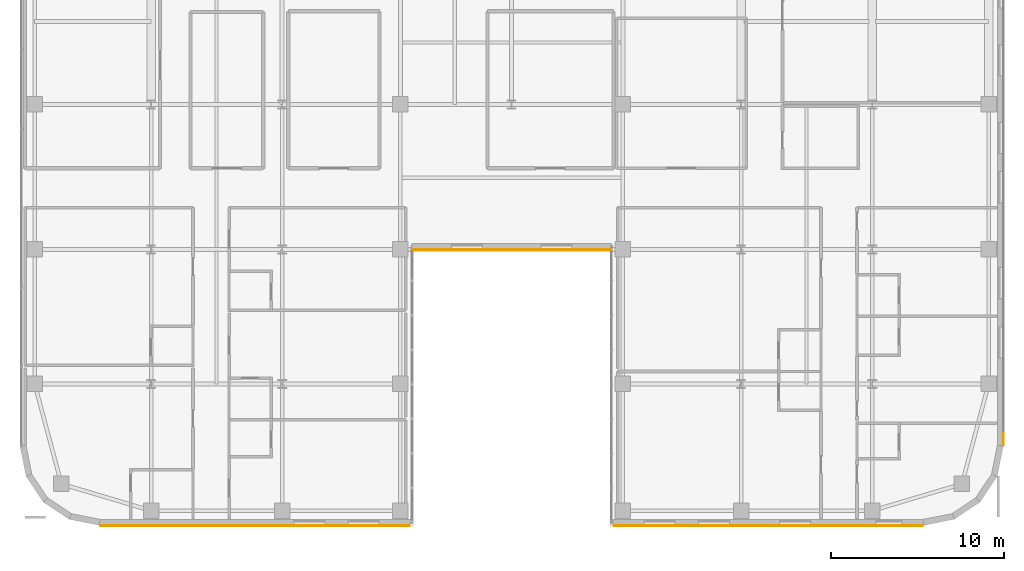
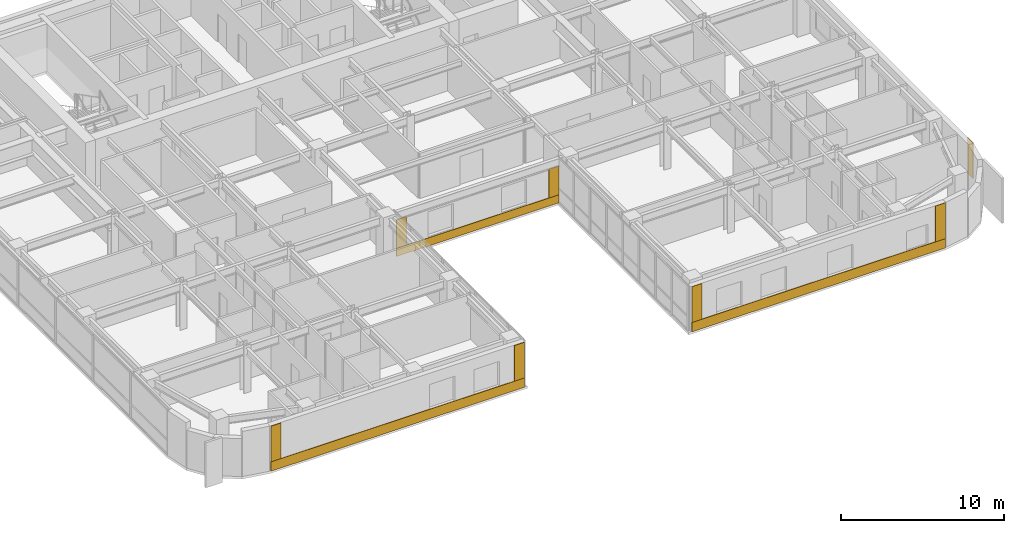
# One storey, part 33 of 37: 10 coverings.
"""IFC4 building model written with IfcOpenShell, lengths in metres."""

import ifcopenshell
import ifcopenshell.guid

model = None  # the IFC model being written
_history = None  # IfcOwnerHistory: only IFC2X3 demands one
_inside = {}  # id of a spatial element -> (the spatial element, [elements in it])
_under = {}  # id of a project, library or spatial element -> (it, [spatial elements below it])
_declared = {}  # id of a project -> (the project, [libraries it declares])
_typed = {}  # id of a type object -> (the type object, [elements of that type])
_made_of = {}  # id of a material, layer set ... -> (it, [elements and type objects made of it])


def new_model(schema):
    """Start an empty IFC model of exactly this schema.

    Asked for "IFC4X3", IfcOpenShell would pick the latest addendum, in which some entities
    have other attributes; the version numbers below select the first issue.
    IFC2X3 requires an IfcOwnerHistory on every rooted entity: one is made here for all.
    """
    global model, _history
    if schema == "IFC4X3":
        model = ifcopenshell.file(schema_version=(4, 3, 0, 0))
    else:
        model = ifcopenshell.file(schema=schema)
    _inside.clear()
    _under.clear()
    _declared.clear()
    _typed.clear()
    _made_of.clear()
    _history = None
    if model.schema == "IFC2X3":
        org = make("IfcOrganization", Name="unknown")
        user = make(
            "IfcPersonAndOrganization",
            ThePerson=make("IfcPerson", FamilyName="unknown"),
            TheOrganization=org,
        )
        app = make(
            "IfcApplication",
            ApplicationDeveloper=org,
            Version="unknown",
            ApplicationFullName="unknown",
            ApplicationIdentifier="unknown",
        )
        _history = make(
            "IfcOwnerHistory",
            OwningUser=user,
            OwningApplication=app,
            ChangeAction="ADDED",
            CreationDate=0,
        )
    return model


def make(cls, **values):
    """One entity of the class cls with the attributes given. An attribute that is None is left unset."""
    return model.create_entity(
        cls, **{name: value for name, value in values.items() if value is not None}
    )


def rooted(cls, **values):
    """An entity with a GlobalId (a new one), such as an element, a storey or a relation."""
    return make(cls, GlobalId=ifcopenshell.guid.new(), OwnerHistory=_history, **values)


def si_unit(unit_type, name, prefix=None):
    """IfcSIUnit, for example si_unit("LENGTHUNIT", "METRE", prefix="MILLI")."""
    return make("IfcSIUnit", UnitType=unit_type, Prefix=prefix, Name=name)


def assignment(units):
    """IfcUnitAssignment: the units of a project."""
    return None if units is None else make("IfcUnitAssignment", Units=units)


def point(xyz):
    """IfcCartesianPoint."""
    return None if xyz is None else make("IfcCartesianPoint", Coordinates=xyz)


def direction(xyz):
    """IfcDirection."""
    return None if xyz is None else make("IfcDirection", DirectionRatios=xyz)


def frame(location, z_axis=None, x_axis=None):
    """IfcAxis2Placement3D, a coordinate frame: its origin and axes. An axis left out is left unset."""
    return make(
        "IfcAxis2Placement3D",
        Location=point(location),
        Axis=direction(z_axis),
        RefDirection=direction(x_axis),
    )


def origin():
    """The frame at (0, 0, 0) with its axes left unset."""
    return frame((0.0, 0.0, 0.0))


def place(relative_to, where):
    """IfcLocalPlacement: puts the frame where relative to a parent placement (None: the world)."""
    return make(
        "IfcLocalPlacement", PlacementRelTo=relative_to, RelativePlacement=where
    )


def context(
    kind, dimensions, precision=None, world=None, true_north=None, identifier=None
):
    """IfcGeometricRepresentationContext, for example the 3D "Model" context."""
    return make(
        "IfcGeometricRepresentationContext",
        ContextIdentifier=identifier,
        ContextType=kind,
        CoordinateSpaceDimension=dimensions,
        Precision=precision,
        WorldCoordinateSystem=world,
        TrueNorth=true_north,
    )


def subcontext(parent, identifier, kind, view, scale=None):
    """IfcGeometricRepresentationSubContext, for example "Body" below "Model"."""
    return make(
        "IfcGeometricRepresentationSubContext",
        ContextIdentifier=identifier,
        ContextType=kind,
        ParentContext=parent,
        TargetScale=scale,
        TargetView=view,
    )


def project(units=None, contexts=None):
    """IfcProject with its units and contexts."""
    return rooted(
        "IfcProject",
        Name="project",
        RepresentationContexts=contexts,
        UnitsInContext=assignment(units),
    )


def spatial(cls, under=None, at=None, **own):
    """A site, building, storey or space (cls), placed at a placement, below another one or the project."""
    s = rooted(cls, ObjectPlacement=at, **own)
    if under is not None:
        _under.setdefault(under.id(), (under, []))[1].append(s)
    return s


def polyline(points):
    """IfcPolyline through the points."""
    return make("IfcPolyline", Points=[point(p) for p in points])


def outline(outer, holes=None, kind="AREA"):
    """IfcArbitraryClosedProfileDef: a profile drawn as a closed curve; with holes, ...WithVoids."""
    if holes is None:
        return make("IfcArbitraryClosedProfileDef", ProfileType=kind, OuterCurve=outer)
    return make(
        "IfcArbitraryProfileDefWithVoids",
        ProfileType=kind,
        OuterCurve=outer,
        InnerCurves=holes,
    )


def extrude(swept, where, along, depth):
    """IfcExtrudedAreaSolid: the profile swept, set in the frame where, extruded along a direction by depth."""
    return make(
        "IfcExtrudedAreaSolid",
        SweptArea=swept,
        Position=where,
        ExtrudedDirection=direction(along),
        Depth=depth,
    )


def shape(context_of_items, identifier, shape_type, items):
    """IfcShapeRepresentation: the items that make up one representation, for example the "Body"."""
    return make(
        "IfcShapeRepresentation",
        ContextOfItems=context_of_items,
        RepresentationIdentifier=identifier,
        RepresentationType=shape_type,
        Items=items,
    )


def material(Name=None, Category=None):
    """IfcMaterial."""
    return make("IfcMaterial", Name=Name, Category=Category)


def layer(
    of_material, thickness, ventilated=None, Name=None, Category=None, Priority=None
):
    """IfcMaterialLayer: one layer of a wall or slab, of a material (None: an air gap)."""
    return make(
        "IfcMaterialLayer",
        Material=of_material,
        LayerThickness=thickness,
        IsVentilated=ventilated,
        Name=Name,
        Category=Category,
        Priority=Priority,
    )


def layer_set(layers, Name=None):
    """IfcMaterialLayerSet."""
    return make("IfcMaterialLayerSet", MaterialLayers=layers, LayerSetName=Name)


def made_of(thing, what):
    """Note that an element or type object is made of a material, layer set ...; save() writes the relation."""
    if what is not None:
        _made_of.setdefault(what.id(), (what, []))[1].append(thing)
    return thing


def type_object(cls, material=None, **own):
    """A type object (cls), such as IfcWallType, which elements share."""
    return made_of(rooted(cls, **own), material)


def element(
    cls,
    number,
    at=None,
    inside=None,
    cuts=None,
    type_object=None,
    material=None,
    context=None,
    identifier="Body",
    shape_type=None,
    held_by="IfcProductDefinitionShape",
    body=None,
    shapes=None,
    **own,
):
    """One element of the class cls, such as IfcWall. Its Tag is "e" and its number.

    at: its placement. inside: the storey or other place that contains it. cuts: it is an
    opening in that element (IfcRelVoidsElement). A single representation is given by context,
    identifier, shape_type and body (its items); several are given by shapes. held_by: the class
    of the entity that holds the representations. save() writes the other relations.
    """
    e = rooted(cls, Tag="e%d" % number, ObjectPlacement=at, **own)
    if body is not None:
        shapes = [shape(context, identifier, shape_type, body)]
    if shapes is not None:
        e.Representation = make(held_by, Representations=shapes)
    if inside is not None:
        _inside.setdefault(inside.id(), (inside, []))[1].append(e)
    if cuts is not None:
        rooted(
            "IfcRelVoidsElement", RelatingBuildingElement=cuts, RelatedOpeningElement=e
        )
    if type_object is not None:
        _typed.setdefault(type_object.id(), (type_object, []))[1].append(e)
    return made_of(e, material)


def aggregate(whole, parts):
    """IfcRelAggregates: a whole, such as a stair, and the parts it consists of."""
    return rooted("IfcRelAggregates", RelatingObject=whole, RelatedObjects=parts)


def save(model, path):
    """Write the relations noted so far, then the file.

    IfcRelAggregates (storeys below a building ...), IfcRelContainedInSpatialStructure (elements
    in a storey), IfcRelDefinesByType, IfcRelAssociatesMaterial and IfcRelDeclares: one each for
    every whole, place, type object, material and project.
    """
    for whole, parts in _under.values():
        aggregate(whole, parts)
    for where, things in _inside.values():
        rooted(
            "IfcRelContainedInSpatialStructure",
            RelatedElements=things,
            RelatingStructure=where,
        )
    for kind, things in _typed.values():
        rooted("IfcRelDefinesByType", RelatedObjects=things, RelatingType=kind)
    for what, things in _made_of.values():
        rooted("IfcRelAssociatesMaterial", RelatedObjects=things, RelatingMaterial=what)
    for by, libraries in _declared.values():
        rooted("IfcRelDeclares", RelatingContext=by, RelatedDefinitions=libraries)
    model.write(path)


model = new_model("IFC4")

# Units and contexts
model_context = context("Model", 3, precision=1e-05, world=origin(), true_north=direction((0.0, 1.0)))
body_context = subcontext(model_context, "Body", "Model", "MODEL_VIEW")
ifc_project = project(units=[si_unit("LENGTHUNIT", "METRE"), si_unit("AREAUNIT", "SQUARE_METRE"), si_unit("VOLUMEUNIT", "CUBIC_METRE"), si_unit("PLANEANGLEUNIT", "RADIAN"), si_unit("MASSUNIT", "GRAM", prefix="KILO")], contexts=[model_context])

# Site, building, storey
site_placement = place(None, origin())
site = spatial("IfcSite", under=ifc_project, at=site_placement, CompositionType="ELEMENT")
building_placement = place(site_placement, origin())
building = spatial("IfcBuilding", under=site, at=building_placement, Name="Tolvann Quenvar Hotel", CompositionType="ELEMENT")
storey_placement = place(building_placement, frame((0.0, 0.0, 104.449951171875)))
storey = spatial("IfcBuildingStorey", under=building, at=storey_placement, Name="L26", CompositionType="ELEMENT", Elevation=104.449951171875)

# Coverings
ifc_material_1 = material(Name="Kiln-fired red architectural face brick cladding", Category="masonry")
ifc_layer_1 = layer(ifc_material_1, 0.0400390625)
ifc_layer_set_1 = layer_set([ifc_layer_1], Name="Kiln-fired red architectural face brick cladding")
covering_type_1 = type_object("IfcCoveringType", Name="COV_CLAD_BRICK_40", PredefinedType="CLADDING", material=ifc_layer_set_1)
covering_1_placement = place(storey_placement, frame((0.0, 0.0, 0.699951171875)))
element("IfcCovering", 1, at=covering_1_placement, inside=storey, type_object=covering_type_1, Name="Brick Pier Cladding (L26-E04-P1)", PredefinedType="CLADDING", context=body_context, shape_type="SweptSolid", body=[
    extrude(outline(polyline([(4.667236328125, 0.0), (5.3671875, 0.0), (5.3671875, -0.0400390625), (4.667236328125, -0.0400390625), (4.667236328125, 0.0)])), origin(), (0.0, 0.0, 1.0), 2.670166015625),
])
covering_2_placement = place(storey_placement, frame((0.0, 0.0, 0.699951171875)))
element("IfcCovering", 2, at=covering_2_placement, inside=storey, type_object=covering_type_1, Name="Brick Pier Cladding (L26-E04-P2)", PredefinedType="CLADDING", context=body_context, shape_type="SweptSolid", body=[
    extrude(outline(polyline([(21.875, 0.0), (22.574951171875, 0.0), (22.574951171875, -0.0400390625), (21.875, -0.0400390625), (21.875, 0.0)])), origin(), (0.0, 0.0, 1.0), 2.670166015625),
])
covering_3_placement = place(storey_placement, frame((0.0, 0.0, 0.604736328125)))
element("IfcCovering", 3, at=covering_3_placement, inside=storey, type_object=covering_type_1, Name="Brick Pier Cladding (L26-E06-P1)", PredefinedType="CLADDING", context=body_context, shape_type="SweptSolid", body=[
    extrude(outline(polyline([(22.760009765625, 16.0), (23.4599609375, 16.0), (23.4599609375, 15.9599609375), (22.760009765625, 15.9599609375), (22.760009765625, 16.0)])), origin(), (0.0, 0.0, 1.0), 2.143310546875),
])
covering_4_placement = place(storey_placement, frame((0.0, 0.0, 0.604736328125)))
element("IfcCovering", 4, at=covering_4_placement, inside=storey, type_object=covering_type_1, Name="Brick Pier Cladding (L26-E06-P2)", PredefinedType="CLADDING", context=body_context, shape_type="SweptSolid", body=[
    extrude(outline(polyline([(33.5400390625, 16.0), (34.239990234375, 16.0), (34.239990234375, 15.9599609375), (33.5400390625, 15.9599609375), (33.5400390625, 16.0)])), origin(), (0.0, 0.0, 1.0), 2.143310546875),
])
covering_5_placement = place(storey_placement, frame((0.0, 0.0, 0.699951171875)))
element("IfcCovering", 5, at=covering_5_placement, inside=storey, type_object=covering_type_1, Name="Brick Pier Cladding (L26-E08-P1)", PredefinedType="CLADDING", context=body_context, shape_type="SweptSolid", body=[
    extrude(outline(polyline([(34.425048828125, 0.0), (35.125, 0.0), (35.125, -0.0400390625), (34.425048828125, -0.0400390625), (34.425048828125, 0.0)])), origin(), (0.0, 0.0, 1.0), 2.670166015625),
])
covering_6_placement = place(storey_placement, frame((0.0, 0.0, 0.699951171875)))
element("IfcCovering", 6, at=covering_6_placement, inside=storey, type_object=covering_type_1, Name="Brick Pier Cladding (L26-E08-P2)", PredefinedType="CLADDING", context=body_context, shape_type="SweptSolid", body=[
    extrude(outline(polyline([(51.6328125, 0.0), (52.332763671875, 0.0), (52.332763671875, -0.0400390625), (51.6328125, -0.0400390625), (51.6328125, 0.0)])), origin(), (0.0, 0.0, 1.0), 2.670166015625),
])
covering_7_placement = place(storey_placement, frame((0.0, 0.0, 0.699951171875)))
element("IfcCovering", 7, at=covering_7_placement, inside=storey, type_object=covering_type_1, Name="Brick Pier Cladding (L26-E13-P1)", PredefinedType="CLADDING", context=body_context, shape_type="SweptSolid", body=[
    extrude(outline(polyline([(57.0, 4.667236328125), (57.0, 5.3671875), (57.0400390625, 5.3671875), (57.0400390625, 4.667236328125), (57.0, 4.667236328125)])), origin(), (0.0, 0.0, 1.0), 2.670166015625),
])
ifc_material_2 = material(Name="Moulded buff architectural terracotta spandrel cladding", Category="masonry")
ifc_layer_2 = layer(ifc_material_2, 0.0400390625)
ifc_layer_set_2 = layer_set([ifc_layer_2], Name="Moulded buff architectural terracotta spandrel cladding")
covering_type_2 = type_object("IfcCoveringType", Name="COV_CLAD_TERRA_40", PredefinedType="CLADDING", material=ifc_layer_set_2)
covering_8_placement = place(storey_placement, origin())
element("IfcCovering", 8, at=covering_8_placement, inside=storey, type_object=covering_type_2, Name="Terracotta Spandrel Cladding (L26-E04)", PredefinedType="CLADDING", context=body_context, shape_type="SweptSolid", body=[
    extrude(outline(polyline([(4.6572265625, 0.0), (22.5849609375, 0.0), (22.5849609375, -0.0400390625), (4.6572265625, -0.0400390625), (4.6572265625, 0.0)])), origin(), (0.0, 0.0, 1.0), 0.699951171875),
])
covering_9_placement = place(storey_placement, origin())
element("IfcCovering", 9, at=covering_9_placement, inside=storey, type_object=covering_type_2, Name="Terracotta Spandrel Cladding (L26-E06)", PredefinedType="CLADDING", context=body_context, shape_type="SweptSolid", body=[
    extrude(outline(polyline([(22.75, 16.0), (34.25, 16.0), (34.25, 15.9599609375), (22.75, 15.9599609375), (22.75, 16.0)])), origin(), (0.0, 0.0, 1.0), 0.604736328125),
])
covering_10_placement = place(storey_placement, origin())
element("IfcCovering", 10, at=covering_10_placement, inside=storey, type_object=covering_type_2, Name="Terracotta Spandrel Cladding (L26-E08)", PredefinedType="CLADDING", context=body_context, shape_type="SweptSolid", body=[
    extrude(outline(polyline([(34.4150390625, 0.0), (52.3427734375, 0.0), (52.3427734375, -0.0400390625), (34.4150390625, -0.0400390625), (34.4150390625, 0.0)])), origin(), (0.0, 0.0, 1.0), 0.699951171875),
])

save(model, "model.ifc")
